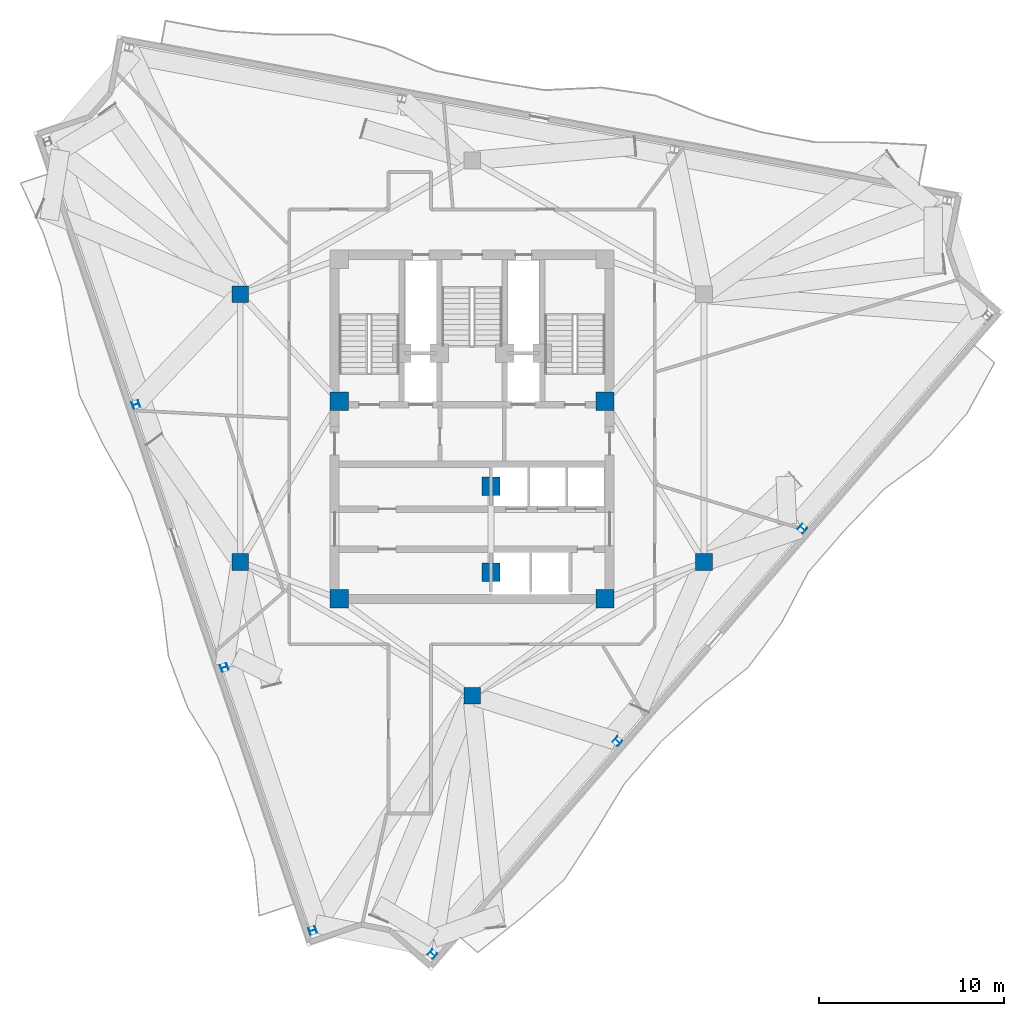
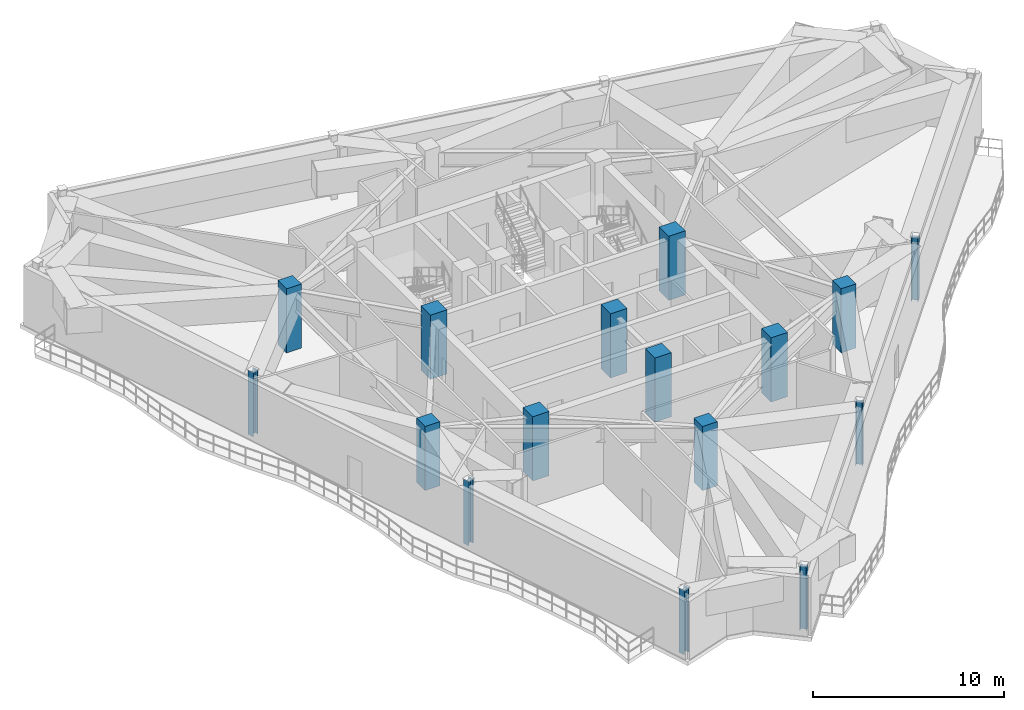
# One storey, part 1 of 10: 16 columns.
"""IFC4 building model written with IfcOpenShell, lengths in metres."""

from ifc_helpers import new_model, si_unit, direction, frame, origin, origin_2d, place, context, subcontext, project, spatial, rectangle, i_section, extrude, material, material_profile, profile_set, type_object, element, save


model = new_model("IFC4")

# Units and contexts
model_context = context("Model", 3, precision=1e-05, world=origin(), true_north=direction((0.0, 1.0)))
body_context = subcontext(model_context, "Body", "Model", "MODEL_VIEW")
ifc_project = project(units=[si_unit("LENGTHUNIT", "METRE"), si_unit("AREAUNIT", "SQUARE_METRE"), si_unit("VOLUMEUNIT", "CUBIC_METRE"), si_unit("PLANEANGLEUNIT", "RADIAN"), si_unit("MASSUNIT", "GRAM", prefix="KILO")], contexts=[model_context])

# Site, building, storey
site_placement = place(None, origin())
site = spatial("IfcSite", under=ifc_project, at=site_placement, CompositionType="ELEMENT")
building_placement = place(site_placement, origin())
building = spatial("IfcBuilding", under=site, at=building_placement, Name="Apsidion Concourse Tower", CompositionType="ELEMENT")
storey_placement = place(building_placement, frame((0.0, 0.0, 290.10009765625)))
storey = spatial("IfcBuildingStorey", under=building, at=storey_placement, Name="L68", CompositionType="ELEMENT", Elevation=290.10009765625)

# Columns
ifc_material_1 = material(Name="Concrete C50/60", Category="concrete")
ifc_material_profile_1 = material_profile(ifc_material_1, rectangle(XDim=1.0, YDim=1.0, at=origin_2d()), Name="RC 1000x1000")
ifc_profile_set_1 = profile_set([ifc_material_profile_1], Name="Concrete C50/60")
column_type_1 = type_object("IfcColumnType", Name="COL-RC-1000", PredefinedType="COLUMN", material=ifc_profile_set_1)
for number, where, z_axis, x_axis, name in (
    (1, (-7.199951171875, -9.25, 0.0), (0.0, 0.0, 1.0), (1.0, 0.0, 0.0), "L68 Core Super-Column SC1"),
    (2, (7.199951171875, -9.25, 0.0), (0.0, 0.0, 1.0), (1.0, 0.0, 0.0), "L68 Core Super-Column SC2"),
    (3, (7.199951171875, 1.449951171875, 0.0), (0.0, 0.0, 1.0), (1.0, 0.0, 0.0), "L68 Core Super-Column SC3"),
    (4, (-7.199951171875, 1.449951171875, 0.0), (0.0, 0.0, 1.0), (1.0, 0.0, 0.0), "L68 Core Super-Column SC6"),
    (5, (1.02490234375, -3.14990234375, 0.0), (0.0, 0.0, 1.0), (1.0, 0.0, 0.0), "L68 Core Super-Column CC5"),
    (6, (1.02490234375, -7.800048828125, 0.0), (0.0, 0.0, 1.0), (1.0, 0.0, 0.0), "L68 Core Super-Column CC6"),
):
    element("IfcColumn", number, at=place(storey_placement, frame(where, z_axis=z_axis, x_axis=x_axis)), inside=storey, type_object=column_type_1, Name=name, PredefinedType="COLUMN", context=body_context, shape_type="SweptSolid", body=[
        extrude(rectangle(XDim=1.0, YDim=1.0, at=origin_2d()), origin(), (0.0, 0.0, 1.0), 4.099853515625),
    ])
ifc_material_profile_2 = material_profile(ifc_material_1, rectangle(XDim=0.89990234375, YDim=0.89990234375, at=origin_2d()), Name="RC 900x900")
ifc_profile_set_2 = profile_set([ifc_material_profile_2], Name="Concrete C50/60")
column_type_2 = type_object("IfcColumnType", Name="COL-RC-900", PredefinedType="COLUMN", material=ifc_profile_set_2)
for number, where, z_axis, x_axis, name in (
    (7, (-12.56005859375, -7.25, 0.0), (0.0, 0.0, 1.0), (1.0, 0.0, 0.0), "L68 Interior Spine Column IC1"),
    (8, (12.56005859375, -7.25, 0.0), (0.0, 0.0, 1.0), (1.0, 0.0, 0.0), "L68 Interior Spine Column IC2"),
    (9, (-12.56005859375, 7.25, 0.0), (0.0, 0.0, 1.0), (1.0, 0.0, 0.0), "L68 Interior Spine Column IC5"),
    (10, (0.0, -14.5, 0.0), (0.0, 0.0, 1.0), (1.0, 0.0, 0.0), "L68 Interior Spine Column IC6"),
):
    element("IfcColumn", number, at=place(storey_placement, frame(where, z_axis=z_axis, x_axis=x_axis)), inside=storey, type_object=column_type_2, Name=name, PredefinedType="COLUMN", context=body_context, shape_type="SweptSolid", body=[
        extrude(rectangle(XDim=0.89990234375, YDim=0.89990234375, at=origin_2d()), origin(), (0.0, 0.0, 1.0), 4.099853515625),
    ])
ifc_material_2 = material(Name="Structural steel ASTM A992 Grade 50", Category="steel")
ifc_material_profile_3 = material_profile(ifc_material_2, i_section(OverallWidth=0.373046875, OverallDepth=0.373046875, WebThickness=0.016357421875, FlangeThickness=0.026123046875, at=origin_2d()), Name="W14X132")
ifc_profile_set_3 = profile_set([ifc_material_profile_3], Name="Structural steel ASTM A992 Grade 50")
column_type_3 = type_object("IfcColumnType", Name="COL-W14-132", PredefinedType="COLUMN", material=ifc_profile_set_3)
for number, where, z_axis, x_axis, name in (
    (11, (-18.215087890625, 1.285888671875, 0.0), (0.0, 0.0, 1.0), (-0.318628456287, 0.947879690069, 0.0), "L68 Rotated Perimeter Column PC02"),
    (12, (-13.42578125, -12.959228515625, 0.0), (0.0, 0.0, 1.0), (-0.318628456287, 0.947879690069, 0.0), "L68 Rotated Perimeter Column PC03"),
    (13, (-8.636474609375, -27.20458984375, 0.0), (0.0, 0.0, 1.0), (-0.318628456287, 0.947879690069, 0.0), "L68 Rotated Perimeter Column PC04"),
    (14, (-2.146728515625, -28.490478515625, 0.0), (0.0, 0.0, 1.0), (0.656059028991, 0.754709580223, 0.0), "L68 Rotated Perimeter Column PC05"),
    (15, (7.87353515625, -16.96337890625, 0.0), (0.0, 0.0, 1.0), (0.656059028991, 0.754709580223, 0.0), "L68 Rotated Perimeter Column PC06"),
    (16, (17.89404296875, -5.436279296875, 0.0), (0.0, 0.0, 1.0), (0.656059028991, 0.754709580223, 0.0), "L68 Rotated Perimeter Column PC07"),
):
    element("IfcColumn", number, at=place(storey_placement, frame(where, z_axis=z_axis, x_axis=x_axis)), inside=storey, type_object=column_type_3, Name=name, PredefinedType="COLUMN", context=body_context, shape_type="SweptSolid", body=[
        extrude(i_section(OverallWidth=0.373046875, OverallDepth=0.373046875, WebThickness=0.016357421875, FlangeThickness=0.026123046875, at=origin_2d()), origin(), (0.0, 0.0, 1.0), 4.099853515625),
    ])

save(model, "model.ifc")
